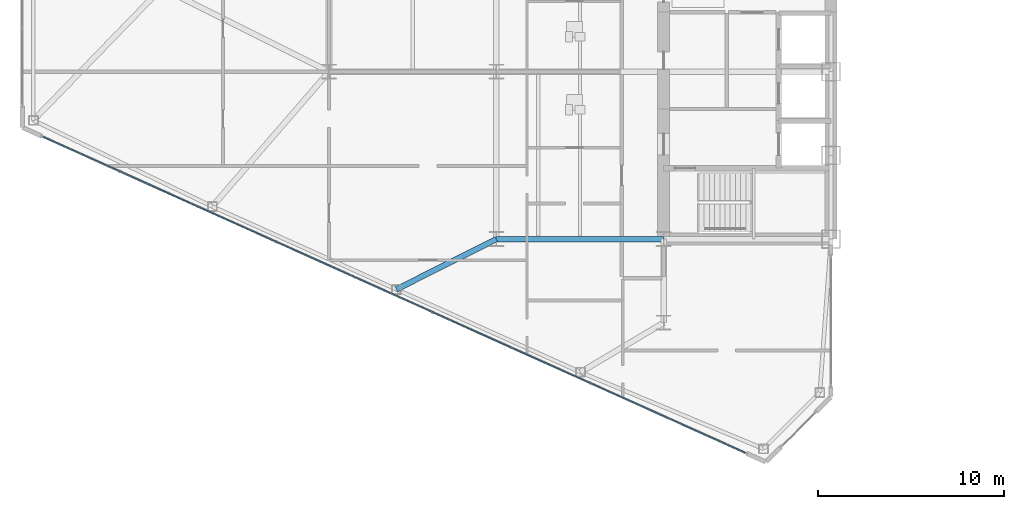
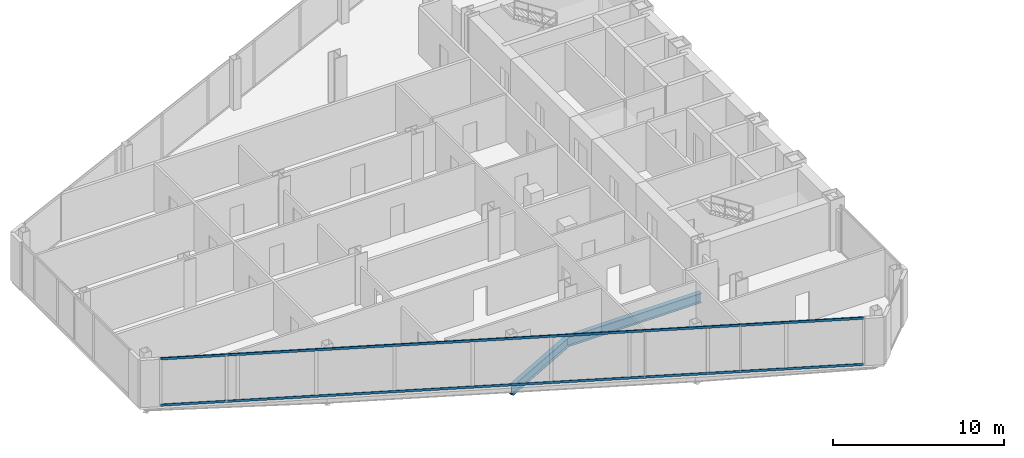
# One storey, part 4 of 27: 2 beams, 2 members, 1 element without a shape of its own.
"""IFC4 building model written with IfcOpenShell, lengths in metres."""

from ifc_helpers import new_model, si_unit, direction, frame, origin, origin_2d, place, context, subcontext, project, spatial, rectangle, i_section, extrude, source, transform, mapped, material, layer, layer_set, material_profile, profile_set, type_object, type_shapes, element, aggregate, save


model = new_model("IFC4")

# Units and contexts
model_context = context("Model", 3, precision=1e-05, world=origin(), true_north=direction((0.0, 1.0)))
body_context = subcontext(model_context, "Body", "Model", "MODEL_VIEW")
ifc_project = project(units=[si_unit("LENGTHUNIT", "METRE"), si_unit("AREAUNIT", "SQUARE_METRE"), si_unit("VOLUMEUNIT", "CUBIC_METRE"), si_unit("PLANEANGLEUNIT", "RADIAN"), si_unit("MASSUNIT", "GRAM", prefix="KILO")], contexts=[model_context])

# Site, building, storey
site_placement = place(None, origin())
site = spatial("IfcSite", under=ifc_project, at=site_placement, CompositionType="ELEMENT")
building_placement = place(site_placement, origin())
building = spatial("IfcBuilding", under=site, at=building_placement, Name="Seokmaru Belvedere", CompositionType="ELEMENT")
storey_placement = place(building_placement, frame((0.0, 0.0, 65.699951171875)))
storey = spatial("IfcBuildingStorey", under=building, at=storey_placement, Name="L17", CompositionType="ELEMENT", Elevation=65.699951171875)

# Beams
ifc_material_1 = material(Name="Steel SM355 (355 MPa)", Category="steel")
ifc_material_profile_1 = material_profile(ifc_material_1, i_section(OverallWidth=0.300048828125, OverallDepth=0.699951171875, WebThickness=0.012939453125, FlangeThickness=0.02392578125, at=origin_2d()), Name="H-700x300x13x24")
ifc_profile_set_1 = profile_set([ifc_material_profile_1], Name="Steel SM355 (355 MPa)")
beam_type = type_object("IfcBeamType", Name="Primary Floor Girder H-700", PredefinedType="BEAM", material=ifc_profile_set_1)
shared_shape_1 = source(origin(), body_context, "Body", "SweptSolid", [
    extrude(i_section(OverallWidth=0.300048828125, OverallDepth=0.699951171875, WebThickness=0.012939453125, FlangeThickness=0.02392578125, at=origin_2d()), origin(), (0.0, 0.0, 1.0), 9.0),
])
beam_1_placement = place(storey_placement, frame((-45.5, -13.5, -0.570068359375), z_axis=(1.0, 0.0, 0.0), x_axis=(0.0, 1.0, 0.0)))
element("IfcBeam", 1, at=beam_1_placement, inside=storey, type_object=beam_type, Name="L17 W Wing Primary Girder 1", PredefinedType="BEAM", context=body_context, shape_type="MappedRepresentation", body=[
    mapped(shared_shape_1, transform((0.0, 0.0, 0.0), scale=1.0)),
])
shared_shape_2 = source(origin(), body_context, "Body", "SweptSolid", [
    extrude(i_section(OverallWidth=0.300048828125, OverallDepth=0.699951171875, WebThickness=0.012939453125, FlangeThickness=0.02392578125, at=origin_2d()), origin(), (0.0, 0.0, 1.0), 6.017333984375),
])
type_shapes(beam_type, [shared_shape_1, shared_shape_2])
beam_2_placement = place(storey_placement, frame((-50.875, -16.205322265625, -0.570068359375), z_axis=(0.893239341975, 0.449581447512, 0.0), x_axis=(-0.449581447512, 0.893239341975, 0.0)))
element("IfcBeam", 2, at=beam_2_placement, inside=storey, type_object=beam_type, Name="L17 W Flank Radial Floor Girder S-2", PredefinedType="BEAM", context=body_context, shape_type="MappedRepresentation", body=[
    mapped(shared_shape_2, transform((0.0, 0.0, 0.0), scale=1.0)),
])

# Curtain wall, members
ifc_material_2 = material(Name="Bronze Triple Insulating Glass", Category="glass")
ifc_layer = layer(ifc_material_2, 0.195068359375)
ifc_layer_set = layer_set([ifc_layer], Name="Bronze Triple Insulating Glass")
curtain_wall_type = type_object("IfcCurtainWallType", Name="Lower-Mid Tapered Curtain Wall System CW-3", PredefinedType="NOTDEFINED", material=ifc_layer_set)
curtain_wall_placement = place(storey_placement, origin())
curtain_wall = element("IfcCurtainWall", 3, at=curtain_wall_placement, inside=storey, type_object=curtain_wall_type, Name="L17 Curtain Wall WF5", PredefinedType="NOTDEFINED")
ifc_material_3 = material(Name="Anodised Bronze Aluminium", Category="aluminium")
ifc_material_profile_2 = material_profile(ifc_material_3, rectangle(XDim=0.070068359375, YDim=0.1650390625, at=origin_2d()), Name="CW-T-70x165")
ifc_profile_set_2 = profile_set([ifc_material_profile_2], Name="Anodised Bronze Aluminium")
member_type = type_object("IfcMemberType", Name="Bronze Unitised Transom 70x165", PredefinedType="USERDEFINED", material=ifc_profile_set_2)
shared_shape_3 = source(origin(), body_context, "Body", "SweptSolid", [
    extrude(rectangle(XDim=0.070068359375, YDim=0.1650390625, at=origin_2d()), origin(), (0.0, 0.0, 1.0), 41.423583984375),
])
type_shapes(member_type, [shared_shape_3])
member_1_placement = place(storey_placement, frame((-69.887451171875, -8.00048828125, 0.03515625), z_axis=(0.911918637916, -0.410371048956, 0.0), x_axis=(0.410371048956, 0.911918637916, 0.0)))
member_1 = element("IfcMember", 4, at=member_1_placement, type_object=member_type, Name="CW:L17:WF5 Continuous Transom 1", ObjectType="TRANSOM", PredefinedType="USERDEFINED", context=body_context, shape_type="MappedRepresentation", body=[
    mapped(shared_shape_3, transform((0.0, 0.0, 0.0), scale=1.0)),
])
member_2_placement = place(storey_placement, frame((-69.887451171875, -8.00048828125, 3.344970703125), z_axis=(0.911918637916, -0.410371048956, 0.0), x_axis=(0.410371048956, 0.911918637916, 0.0)))
member_2 = element("IfcMember", 5, at=member_2_placement, type_object=member_type, Name="CW:L17:WF5 Continuous Transom 2", ObjectType="TRANSOM", PredefinedType="USERDEFINED", context=body_context, shape_type="MappedRepresentation", body=[
    mapped(shared_shape_3, transform((0.0, 0.0, 0.0), scale=1.0)),
])
aggregate(curtain_wall, [member_1, member_2])

save(model, "model.ifc")
